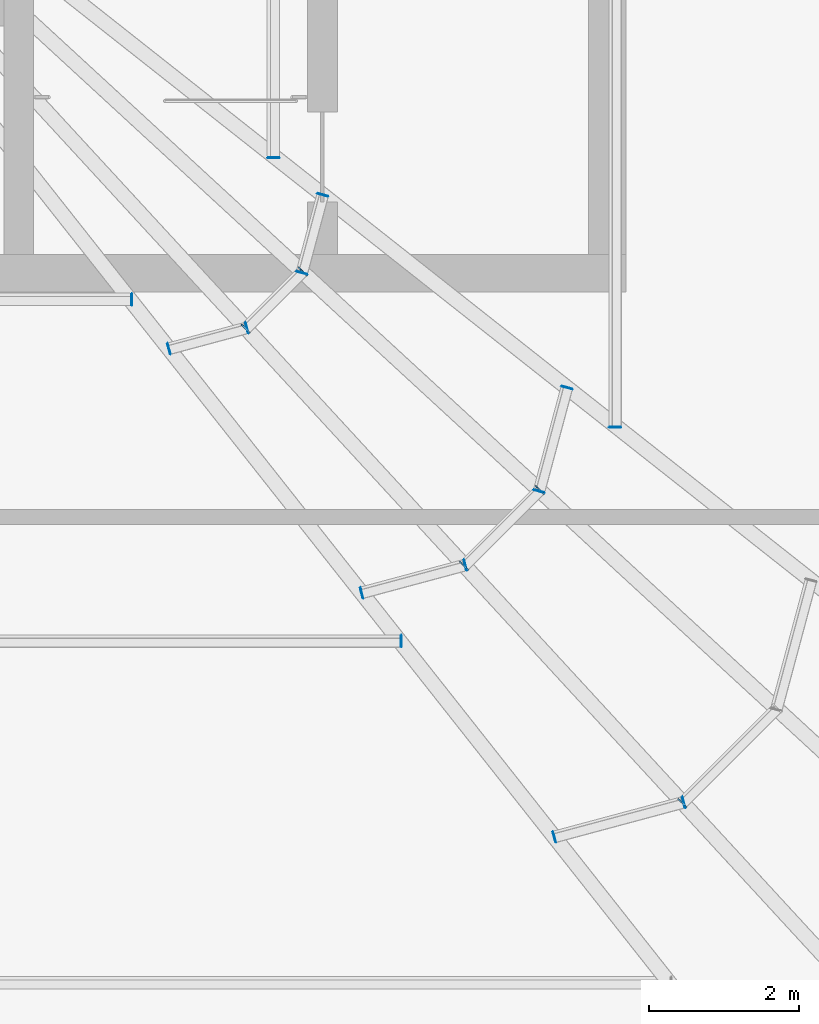
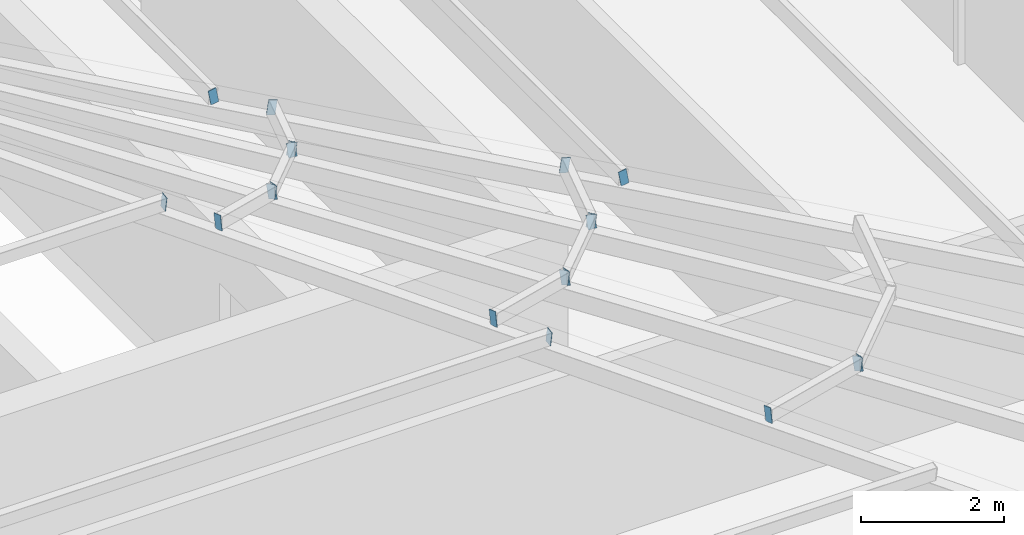
# One storey, part 31 of 46: 19 discrete accessories.
"""IFC4 building model written with IfcOpenShell, lengths in metres."""

from ifc_helpers import new_model, si_unit, direction, frame, origin, origin_2d, place, context, subcontext, project, spatial, rectangle, extrude, material, type_object, element, save


model = new_model("IFC4")

# Units and contexts
model_context = context("Model", 3, precision=1e-05, world=origin(), true_north=direction((0.0, 1.0)))
body_context = subcontext(model_context, "Body", "Model", "MODEL_VIEW")
ifc_project = project(units=[si_unit("LENGTHUNIT", "METRE"), si_unit("AREAUNIT", "SQUARE_METRE"), si_unit("VOLUMEUNIT", "CUBIC_METRE"), si_unit("PLANEANGLEUNIT", "RADIAN"), si_unit("MASSUNIT", "GRAM", prefix="KILO")], contexts=[model_context])

# Site, building, storey
site_placement = place(None, origin())
site = spatial("IfcSite", under=ifc_project, at=site_placement, CompositionType="ELEMENT")
building_placement = place(site_placement, origin())
building = spatial("IfcBuilding", under=site, at=building_placement, Name="Madar Terraces", CompositionType="ELEMENT")
storey_placement = place(building_placement, frame((0.0, 0.0, 317.300048828125)))
storey = spatial("IfcBuildingStorey", under=building, at=storey_placement, Name="L82", CompositionType="ELEMENT", Elevation=317.300048828125)

# Discrete accessories
ifc_material = material(Name="Steel plate ASTM A36, galvanised", Category="steel")
discrete_accessory_type = type_object("IfcDiscreteAccessoryType", Name="Hollow section end plate", PredefinedType="BRACKET", material=ifc_material)
discrete_accessory_1_placement = place(storey_placement, frame((44.39990234375, 10.342041015625, 5.029052734375), z_axis=(1.0, 0.0, 0.0), x_axis=(0.0, 0.984957023705, 0.172799483372)))
element("IfcDiscreteAccessory", 1, at=discrete_accessory_1_placement, inside=storey, type_object=discrete_accessory_type, Name="Hollow section end plate", PredefinedType="BRACKET", context=body_context, shape_type="SweptSolid", body=[
    extrude(rectangle(XDim=0.126953125, YDim=0.25390625, at=origin_2d()), origin(), (0.0, 0.0, 1.0), 0.01220703125),
])
for number, where, z_axis, x_axis, name in (
    (2, (40.800048828125, 14.90185546875, 5.8291015625), (1.0, 0.0, 0.0), (0.0, 0.984957023705, 0.172799483372), "Hollow section end plate"),
    (3, (46.45263671875, 7.730712890625, 4.5712890625), (-0.963811120254, -0.266586054538, 0.0), (0.264178693544, -0.95510758435, 0.13408624163), "Hollow section end plate"),
    (4, (48.1669921875, 8.190185546875, 4.5712890625), (0.970142500145, 0.242535625036, 0.0), (-0.240345447442, 0.961381789769, 0.13408624163), "Hollow section end plate"),
    (5, (43.88134765625, 10.98779296875, 5.142578125), (-0.970142500145, -0.242535625036, 0.0), (0.240345447442, -0.961381789769, 0.13408624163), "Hollow section end plate"),
    (6, (45.252685546875, 11.35546875, 5.142578125), (0.970142500145, 0.242535625036, 0.0), (-0.240345447442, 0.961381789769, 0.13408624163), "Hollow section end plate"),
    (7, (41.309814453125, 14.2451171875, 5.714111328125), (-0.963811120254, -0.266586054538, 0.0), (0.264178693544, -0.95510758435, 0.13408624163), "Hollow section end plate"),
):
    element("IfcDiscreteAccessory", number, at=place(storey_placement, frame(where, z_axis=z_axis, x_axis=x_axis)), inside=storey, type_object=discrete_accessory_type, Name=name, PredefinedType="BRACKET", context=body_context, shape_type="SweptSolid", body=[
        extrude(rectangle(XDim=0.126953125, YDim=0.25390625, at=origin_2d()), origin(), (0.0, 0.0, 1.0), 0.011962890625),
    ])
discrete_accessory_2_placement = place(storey_placement, frame((42.33837890625, 14.5205078125, 5.714111328125), z_axis=(0.96522637192, 0.261415475728, 0.0), x_axis=(-0.259054806785, 0.956510055821, 0.13408624163)))
element("IfcDiscreteAccessory", 8, at=discrete_accessory_2_placement, inside=storey, type_object=discrete_accessory_type, Name="Hollow section end plate", PredefinedType="BRACKET", context=body_context, shape_type="SweptSolid", body=[
    extrude(rectangle(XDim=0.126953125, YDim=0.25390625, at=origin_2d()), origin(), (0.0, 0.0, 1.0), 0.01220703125),
])
for number, where, z_axis, x_axis, name in (
    (9, (48.15966796875, 8.185546875, 4.571044921875), (-0.707106781187, -0.707106781187, 0.0), (0.700941463334, -0.700941463334, 0.131765435371), "Hollow section end plate"),
    (10, (45.245361328125, 11.350830078125, 5.142578125), (-0.707106781187, -0.707106781187, 0.0), (0.700941463334, -0.700941463334, 0.131765435371), "Hollow section end plate"),
    (11, (46.249267578125, 12.354736328125, 5.142578125), (0.707106781187, 0.707106781187, 0.0), (-0.700941463334, 0.700941463334, 0.131765435371), "Hollow section end plate"),
    (12, (42.3310546875, 14.51611328125, 5.7138671875), (-0.707106781187, -0.707106781187, 0.0), (0.700941463334, -0.700941463334, 0.131765435371), "Hollow section end plate"),
    (13, (43.083984375, 15.26904296875, 5.7138671875), (0.717279380859, 0.696785684263, 0.0), (-0.69071035684, 0.711025367336, 0.131765435371), "Hollow section end plate"),
    (14, (46.24462890625, 12.34716796875, 5.142578125), (-0.266586054538, -0.963811120254, 0.0), (0.95510758435, -0.264178693544, 0.13408624163), "Hollow section end plate"),
    (15, (46.612060546875, 13.71875, 5.142578125), (0.266586054538, 0.963811120254, 0.0), (-0.95510758435, 0.264178693544, 0.13408624163), "Hollow section end plate"),
    (16, (43.079345703125, 15.261474609375, 5.714111328125), (-0.266586054538, -0.963811120254, 0.0), (0.95510758435, -0.264178693544, 0.13408624163), "Hollow section end plate"),
):
    element("IfcDiscreteAccessory", number, at=place(storey_placement, frame(where, z_axis=z_axis, x_axis=x_axis)), inside=storey, type_object=discrete_accessory_type, Name=name, PredefinedType="BRACKET", context=body_context, shape_type="SweptSolid", body=[
        extrude(rectangle(XDim=0.126953125, YDim=0.25390625, at=origin_2d()), origin(), (0.0, 0.0, 1.0), 0.011962890625),
    ])
discrete_accessory_3_placement = place(storey_placement, frame((43.35498046875, 16.2900390625, 5.714111328125), z_axis=(0.261415475728, 0.96522637192, 0.0), x_axis=(-0.956510055821, 0.259054806785, 0.13408624163)))
element("IfcDiscreteAccessory", 17, at=discrete_accessory_3_placement, inside=storey, type_object=discrete_accessory_type, Name="Hollow section end plate", PredefinedType="BRACKET", context=body_context, shape_type="SweptSolid", body=[
    extrude(rectangle(XDim=0.126953125, YDim=0.25390625, at=origin_2d()), origin(), (0.0, 0.0, 1.0), 0.01220703125),
])
for number, where, z_axis, x_axis, name in (
    (18, (47.258056640625, 13.199951171875, 5.029052734375), (0.0, -1.0, 0.0), (0.984957023705, 0.0, 0.172799483372), "Hollow section end plate"),
    (19, (42.697998046875, 16.800048828125, 5.8291015625), (0.0, -1.0, 0.0), (0.984957023705, 0.0, 0.172799483372), "Hollow section end plate"),
):
    element("IfcDiscreteAccessory", number, at=place(storey_placement, frame(where, z_axis=z_axis, x_axis=x_axis)), inside=storey, type_object=discrete_accessory_type, Name=name, PredefinedType="BRACKET", context=body_context, shape_type="SweptSolid", body=[
        extrude(rectangle(XDim=0.126953125, YDim=0.25390625, at=origin_2d()), origin(), (0.0, 0.0, 1.0), 0.011962890625),
    ])

save(model, "model.ifc")
